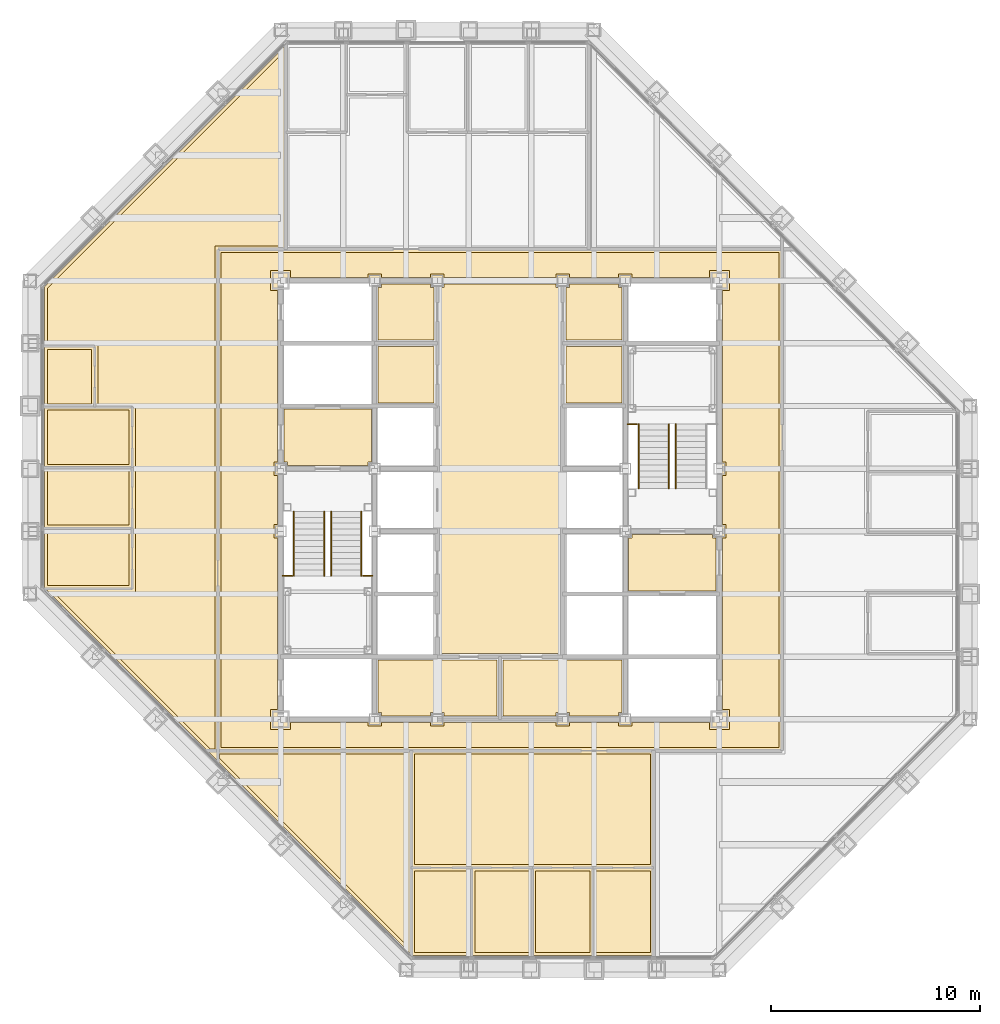
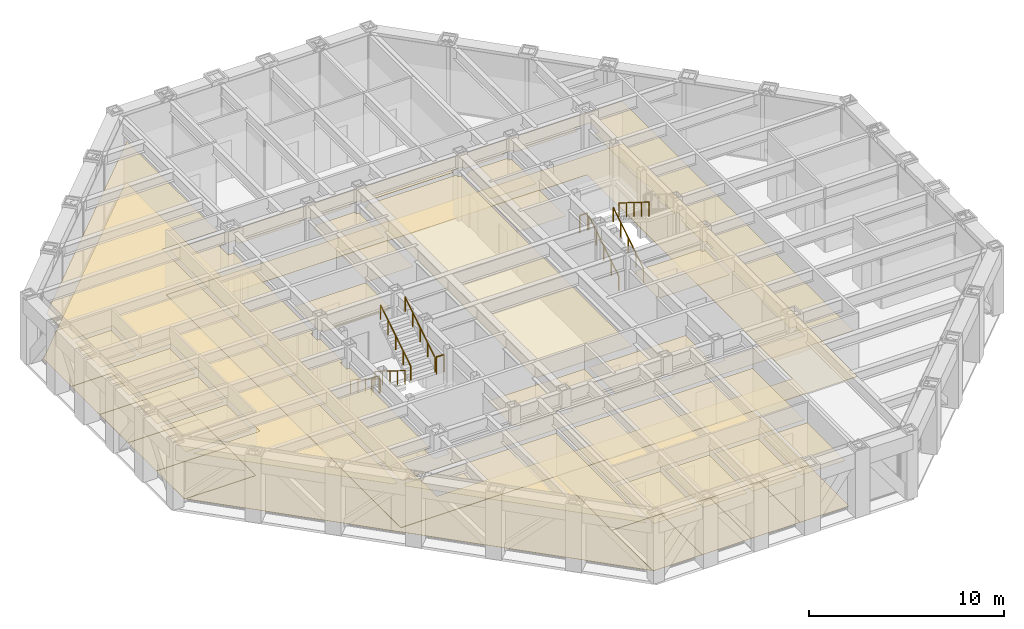
# One storey, part 15 of 16: 32 coverings, 10 railings.
"""IFC4 building model written with IfcOpenShell, lengths in metres."""

import ifcopenshell
import ifcopenshell.guid

model = None  # the IFC model being written
_history = None  # IfcOwnerHistory: only IFC2X3 demands one
_inside = {}  # id of a spatial element -> (the spatial element, [elements in it])
_under = {}  # id of a project, library or spatial element -> (it, [spatial elements below it])
_declared = {}  # id of a project -> (the project, [libraries it declares])
_typed = {}  # id of a type object -> (the type object, [elements of that type])
_made_of = {}  # id of a material, layer set ... -> (it, [elements and type objects made of it])


def new_model(schema):
    """Start an empty IFC model of exactly this schema.

    Asked for "IFC4X3", IfcOpenShell would pick the latest addendum, in which some entities
    have other attributes; the version numbers below select the first issue.
    IFC2X3 requires an IfcOwnerHistory on every rooted entity: one is made here for all.
    """
    global model, _history
    if schema == "IFC4X3":
        model = ifcopenshell.file(schema_version=(4, 3, 0, 0))
    else:
        model = ifcopenshell.file(schema=schema)
    _inside.clear()
    _under.clear()
    _declared.clear()
    _typed.clear()
    _made_of.clear()
    _history = None
    if model.schema == "IFC2X3":
        org = make("IfcOrganization", Name="unknown")
        user = make(
            "IfcPersonAndOrganization",
            ThePerson=make("IfcPerson", FamilyName="unknown"),
            TheOrganization=org,
        )
        app = make(
            "IfcApplication",
            ApplicationDeveloper=org,
            Version="unknown",
            ApplicationFullName="unknown",
            ApplicationIdentifier="unknown",
        )
        _history = make(
            "IfcOwnerHistory",
            OwningUser=user,
            OwningApplication=app,
            ChangeAction="ADDED",
            CreationDate=0,
        )
    return model


def make(cls, **values):
    """One entity of the class cls with the attributes given. An attribute that is None is left unset."""
    return model.create_entity(
        cls, **{name: value for name, value in values.items() if value is not None}
    )


def rooted(cls, **values):
    """An entity with a GlobalId (a new one), such as an element, a storey or a relation."""
    return make(cls, GlobalId=ifcopenshell.guid.new(), OwnerHistory=_history, **values)


def si_unit(unit_type, name, prefix=None):
    """IfcSIUnit, for example si_unit("LENGTHUNIT", "METRE", prefix="MILLI")."""
    return make("IfcSIUnit", UnitType=unit_type, Prefix=prefix, Name=name)


def assignment(units):
    """IfcUnitAssignment: the units of a project."""
    return None if units is None else make("IfcUnitAssignment", Units=units)


def point(xyz):
    """IfcCartesianPoint."""
    return None if xyz is None else make("IfcCartesianPoint", Coordinates=xyz)


def direction(xyz):
    """IfcDirection."""
    return None if xyz is None else make("IfcDirection", DirectionRatios=xyz)


def frame(location, z_axis=None, x_axis=None):
    """IfcAxis2Placement3D, a coordinate frame: its origin and axes. An axis left out is left unset."""
    return make(
        "IfcAxis2Placement3D",
        Location=point(location),
        Axis=direction(z_axis),
        RefDirection=direction(x_axis),
    )


def frame_2d(location, x_axis=None):
    """IfcAxis2Placement2D, a coordinate frame in the plane: its origin and x axis."""
    return make(
        "IfcAxis2Placement2D", Location=point(location), RefDirection=direction(x_axis)
    )


def origin():
    """The frame at (0, 0, 0) with its axes left unset."""
    return frame((0.0, 0.0, 0.0))


def origin_2d():
    """The frame at (0, 0) in the plane with its x axis left unset."""
    return frame_2d((0.0, 0.0))


def place(relative_to, where):
    """IfcLocalPlacement: puts the frame where relative to a parent placement (None: the world)."""
    return make(
        "IfcLocalPlacement", PlacementRelTo=relative_to, RelativePlacement=where
    )


def context(
    kind, dimensions, precision=None, world=None, true_north=None, identifier=None
):
    """IfcGeometricRepresentationContext, for example the 3D "Model" context."""
    return make(
        "IfcGeometricRepresentationContext",
        ContextIdentifier=identifier,
        ContextType=kind,
        CoordinateSpaceDimension=dimensions,
        Precision=precision,
        WorldCoordinateSystem=world,
        TrueNorth=true_north,
    )


def subcontext(parent, identifier, kind, view, scale=None):
    """IfcGeometricRepresentationSubContext, for example "Body" below "Model"."""
    return make(
        "IfcGeometricRepresentationSubContext",
        ContextIdentifier=identifier,
        ContextType=kind,
        ParentContext=parent,
        TargetScale=scale,
        TargetView=view,
    )


def project(units=None, contexts=None):
    """IfcProject with its units and contexts."""
    return rooted(
        "IfcProject",
        Name="project",
        RepresentationContexts=contexts,
        UnitsInContext=assignment(units),
    )


def spatial(cls, under=None, at=None, **own):
    """A site, building, storey or space (cls), placed at a placement, below another one or the project."""
    s = rooted(cls, ObjectPlacement=at, **own)
    if under is not None:
        _under.setdefault(under.id(), (under, []))[1].append(s)
    return s


def polyline(points):
    """IfcPolyline through the points."""
    return make("IfcPolyline", Points=[point(p) for p in points])


def profile(cls, at=None, kind="AREA", **sizes):
    """A parametric profile (cls). Its sizes go by their IFC names, for example OverallWidth=200.0."""
    return make(cls, ProfileType=kind, Position=at, **sizes)


def circle(**sizes):
    """IfcCircleProfileDef."""
    return profile("IfcCircleProfileDef", **sizes)


def outline(outer, holes=None, kind="AREA"):
    """IfcArbitraryClosedProfileDef: a profile drawn as a closed curve; with holes, ...WithVoids."""
    if holes is None:
        return make("IfcArbitraryClosedProfileDef", ProfileType=kind, OuterCurve=outer)
    return make(
        "IfcArbitraryProfileDefWithVoids",
        ProfileType=kind,
        OuterCurve=outer,
        InnerCurves=holes,
    )


def extrude(swept, where, along, depth):
    """IfcExtrudedAreaSolid: the profile swept, set in the frame where, extruded along a direction by depth."""
    return make(
        "IfcExtrudedAreaSolid",
        SweptArea=swept,
        Position=where,
        ExtrudedDirection=direction(along),
        Depth=depth,
    )


def shape(context_of_items, identifier, shape_type, items):
    """IfcShapeRepresentation: the items that make up one representation, for example the "Body"."""
    return make(
        "IfcShapeRepresentation",
        ContextOfItems=context_of_items,
        RepresentationIdentifier=identifier,
        RepresentationType=shape_type,
        Items=items,
    )


def material(Name=None, Category=None):
    """IfcMaterial."""
    return make("IfcMaterial", Name=Name, Category=Category)


def layer(
    of_material, thickness, ventilated=None, Name=None, Category=None, Priority=None
):
    """IfcMaterialLayer: one layer of a wall or slab, of a material (None: an air gap)."""
    return make(
        "IfcMaterialLayer",
        Material=of_material,
        LayerThickness=thickness,
        IsVentilated=ventilated,
        Name=Name,
        Category=Category,
        Priority=Priority,
    )


def layer_set(layers, Name=None):
    """IfcMaterialLayerSet."""
    return make("IfcMaterialLayerSet", MaterialLayers=layers, LayerSetName=Name)


def made_of(thing, what):
    """Note that an element or type object is made of a material, layer set ...; save() writes the relation."""
    if what is not None:
        _made_of.setdefault(what.id(), (what, []))[1].append(thing)
    return thing


def type_object(cls, material=None, **own):
    """A type object (cls), such as IfcWallType, which elements share."""
    return made_of(rooted(cls, **own), material)


def element(
    cls,
    number,
    at=None,
    inside=None,
    cuts=None,
    type_object=None,
    material=None,
    context=None,
    identifier="Body",
    shape_type=None,
    held_by="IfcProductDefinitionShape",
    body=None,
    shapes=None,
    **own,
):
    """One element of the class cls, such as IfcWall. Its Tag is "e" and its number.

    at: its placement. inside: the storey or other place that contains it. cuts: it is an
    opening in that element (IfcRelVoidsElement). A single representation is given by context,
    identifier, shape_type and body (its items); several are given by shapes. held_by: the class
    of the entity that holds the representations. save() writes the other relations.
    """
    e = rooted(cls, Tag="e%d" % number, ObjectPlacement=at, **own)
    if body is not None:
        shapes = [shape(context, identifier, shape_type, body)]
    if shapes is not None:
        e.Representation = make(held_by, Representations=shapes)
    if inside is not None:
        _inside.setdefault(inside.id(), (inside, []))[1].append(e)
    if cuts is not None:
        rooted(
            "IfcRelVoidsElement", RelatingBuildingElement=cuts, RelatedOpeningElement=e
        )
    if type_object is not None:
        _typed.setdefault(type_object.id(), (type_object, []))[1].append(e)
    return made_of(e, material)


def aggregate(whole, parts):
    """IfcRelAggregates: a whole, such as a stair, and the parts it consists of."""
    return rooted("IfcRelAggregates", RelatingObject=whole, RelatedObjects=parts)


def save(model, path):
    """Write the relations noted so far, then the file.

    IfcRelAggregates (storeys below a building ...), IfcRelContainedInSpatialStructure (elements
    in a storey), IfcRelDefinesByType, IfcRelAssociatesMaterial and IfcRelDeclares: one each for
    every whole, place, type object, material and project.
    """
    for whole, parts in _under.values():
        aggregate(whole, parts)
    for where, things in _inside.values():
        rooted(
            "IfcRelContainedInSpatialStructure",
            RelatedElements=things,
            RelatingStructure=where,
        )
    for kind, things in _typed.values():
        rooted("IfcRelDefinesByType", RelatedObjects=things, RelatingType=kind)
    for what, things in _made_of.values():
        rooted("IfcRelAssociatesMaterial", RelatedObjects=things, RelatingMaterial=what)
    for by, libraries in _declared.values():
        rooted("IfcRelDeclares", RelatingContext=by, RelatedDefinitions=libraries)
    model.write(path)


model = new_model("IFC4")

# Units and contexts
model_context = context("Model", 3, precision=1e-05, world=origin(), true_north=direction((0.0, 1.0)))
body_context = subcontext(model_context, "Body", "Model", "MODEL_VIEW")
ifc_project = project(units=[si_unit("LENGTHUNIT", "METRE"), si_unit("AREAUNIT", "SQUARE_METRE"), si_unit("VOLUMEUNIT", "CUBIC_METRE"), si_unit("PLANEANGLEUNIT", "RADIAN"), si_unit("MASSUNIT", "GRAM", prefix="KILO")], contexts=[model_context])

# Site, building, storey
site_placement = place(None, origin())
site = spatial("IfcSite", under=ifc_project, at=site_placement, CompositionType="ELEMENT")
building_placement = place(site_placement, origin())
building = spatial("IfcBuilding", under=site, at=building_placement, Name="Chuquiago Exchange Tower", CompositionType="ELEMENT")
storey_placement = place(building_placement, frame((0.0, 0.0, 243.300048828125)))
storey = spatial("IfcBuildingStorey", under=building, at=storey_placement, Name="L54", CompositionType="ELEMENT", Elevation=243.300048828125)

# Coverings
ifc_material_1 = material(Name="Mineral fibre tile, 600 x 600, on pale metal grid", Category="mineral fibre")
ifc_layer_1 = layer(ifc_material_1, 0.02001953125)
ifc_layer_set_1 = layer_set([ifc_layer_1], Name="CL1 suspended tile ceiling 20")
covering_type_1 = type_object("IfcCoveringType", Name="CL1 suspended tile ceiling 20", PredefinedType="CEILING", material=ifc_layer_set_1)
covering_1_placement = place(storey_placement, frame((0.0, 0.0, 2.800048828125)))
element("IfcCovering", 1, at=covering_1_placement, inside=storey, type_object=covering_type_1, Name="Ceiling Reception", PredefinedType="CEILING", context=body_context, shape_type="SweptSolid", body=[
    extrude(outline(polyline([(18.3984375, 4.75), (20.9990234375, 4.75), (20.9990234375, 0.85009765625), (18.3984375, 0.85009765625), (18.3984375, 4.75)])), origin(), (0.0, 0.0, 1.0), 0.02001953125),
])
covering_2_placement = place(storey_placement, frame((0.0, 0.0, 2.800048828125)))
element("IfcCovering", 2, at=covering_2_placement, inside=storey, type_object=covering_type_1, Name="Ceiling Office", PredefinedType="CEILING", context=body_context, shape_type="SweptSolid", body=[
    extrude(outline(polyline([(21.299072265625, 4.75), (23.899658203125, 4.75), (23.899658203125, 0.85009765625), (21.299072265625, 0.85009765625), (21.299072265625, 4.75)])), origin(), (0.0, 0.0, 1.0), 0.02001953125),
])
covering_3_placement = place(storey_placement, frame((0.0, 0.0, 2.800048828125)))
element("IfcCovering", 3, at=covering_3_placement, inside=storey, type_object=covering_type_1, Name="Ceiling Office", PredefinedType="CEILING", context=body_context, shape_type="SweptSolid", body=[
    extrude(outline(polyline([(24.19970703125, 4.75), (26.80029296875, 4.75), (26.80029296875, 0.85009765625), (24.19970703125, 0.85009765625), (24.19970703125, 4.75)])), origin(), (0.0, 0.0, 1.0), 0.02001953125),
])
covering_4_placement = place(storey_placement, frame((0.0, 0.0, 2.800048828125)))
element("IfcCovering", 4, at=covering_4_placement, inside=storey, type_object=covering_type_1, Name="Ceiling Office", PredefinedType="CEILING", context=body_context, shape_type="SweptSolid", body=[
    extrude(outline(polyline([(27.100341796875, 4.75), (29.700927734375, 4.75), (29.700927734375, 0.85009765625), (27.100341796875, 0.85009765625), (27.100341796875, 4.75)])), origin(), (0.0, 0.0, 1.0), 0.02001953125),
])
covering_5_placement = place(storey_placement, frame((0.0, 0.0, 2.800048828125)))
element("IfcCovering", 5, at=covering_5_placement, inside=storey, type_object=covering_type_1, Name="Ceiling Office", PredefinedType="CEILING", context=body_context, shape_type="SweptSolid", body=[
    extrude(outline(polyline([(0.85009765625, 20.9990234375), (4.75, 20.9990234375), (4.75, 18.3984375), (0.85009765625, 18.3984375), (0.85009765625, 20.9990234375)])), origin(), (0.0, 0.0, 1.0), 0.02001953125),
])
covering_6_placement = place(storey_placement, frame((0.0, 0.0, 2.800048828125)))
element("IfcCovering", 6, at=covering_6_placement, inside=storey, type_object=covering_type_1, Name="Ceiling Office", PredefinedType="CEILING", context=body_context, shape_type="SweptSolid", body=[
    extrude(outline(polyline([(4.75, 23.899658203125), (4.75, 21.299072265625), (0.85009765625, 21.299072265625), (0.85009765625, 23.899658203125), (4.75, 23.899658203125)])), origin(), (0.0, 0.0, 1.0), 0.02001953125),
])
covering_7_placement = place(storey_placement, frame((0.0, 0.0, 2.800048828125)))
element("IfcCovering", 7, at=covering_7_placement, inside=storey, type_object=covering_type_1, Name="Ceiling Reception", PredefinedType="CEILING", context=body_context, shape_type="SweptSolid", body=[
    extrude(outline(polyline([(4.75, 26.80029296875), (4.75, 24.19970703125), (0.85009765625, 24.19970703125), (0.85009765625, 26.80029296875), (4.75, 26.80029296875)])), origin(), (0.0, 0.0, 1.0), 0.02001953125),
])
covering_8_placement = place(storey_placement, frame((0.0, 0.0, 2.800048828125)))
element("IfcCovering", 8, at=covering_8_placement, inside=storey, type_object=covering_type_1, Name="Ceiling Focus room", PredefinedType="CEILING", context=body_context, shape_type="SweptSolid", body=[
    extrude(outline(polyline([(2.949951171875, 29.700927734375), (2.949951171875, 27.100341796875), (0.85009765625, 27.100341796875), (0.85009765625, 29.700927734375), (2.949951171875, 29.700927734375)])), origin(), (0.0, 0.0, 1.0), 0.02001953125),
])
covering_9_placement = place(storey_placement, frame((0.0, 0.0, 2.800048828125)))
element("IfcCovering", 9, at=covering_9_placement, inside=storey, type_object=covering_type_1, Name="Ceiling Open office south suite", PredefinedType="CEILING", context=body_context, shape_type="SweptSolid", body=[
    extrude(outline(polyline([(18.39892578125, 5.050048828125), (18.39892578125, 10.349609375), (29.700439453125, 10.349609375), (29.700439453125, 5.050048828125), (18.39892578125, 5.050048828125)])), origin(), (0.0, 0.0, 1.0), 0.02001953125),
])
covering_10_placement = place(storey_placement, frame((0.0, 0.0, 2.800048828125)))
element("IfcCovering", 10, at=covering_10_placement, inside=storey, type_object=covering_type_1, Name="Ceiling Open office west suite", PredefinedType="CEILING", context=body_context, shape_type="SweptSolid", body=[
    extrude(outline(polyline([(5.050048828125, 18.098388671875), (5.050048828125, 27.100341796875), (3.25, 27.100341796875), (3.25, 30.0009765625), (0.85009765625, 30.0009765625), (0.85009765625, 32.64794921875), (12.097900390625, 43.89599609375), (12.097900390625, 34.650390625), (8.849609375, 34.64990234375), (8.849609375, 10.5849609375), (8.616943359375, 10.5849609375), (1.103515625, 18.098388671875), (5.050048828125, 18.098388671875)])), origin(), (0.0, 0.0, 1.0), 0.02001953125),
])
covering_11_placement = place(storey_placement, frame((0.0, 0.0, 2.800048828125)))
element("IfcCovering", 11, at=covering_11_placement, inside=storey, type_object=covering_type_1, Name="Ceiling Open office west suite", PredefinedType="CEILING", context=body_context, shape_type="SweptSolid", body=[
    extrude(outline(polyline([(18.097900390625, 10.349609375), (18.097900390625, 1.10400390625), (9.0849609375, 10.116943359375), (9.0849609375, 10.35009765625), (18.097900390625, 10.349609375)])), origin(), (0.0, 0.0, 1.0), 0.02001953125),
])
covering_12_placement = place(storey_placement, frame((0.0, 0.0, 2.800048828125)))
element("IfcCovering", 12, at=covering_12_placement, inside=storey, type_object=covering_type_1, Name="Ceiling Tenant corridor", PredefinedType="CEILING", context=body_context, shape_type="SweptSolid", body=[
    extrude(outline(polyline([(9.14990234375, 34.35009765625), (35.85009765625, 34.35009765625), (35.85009765625, 10.64990234375), (9.14990234375, 10.64990234375), (9.14990234375, 34.35009765625)]), holes=[polyline([(11.85009765625, 24.324951171875), (11.675048828125, 24.324951171875), (11.675048828125, 23.675048828125), (11.85009765625, 23.675048828125), (11.85009765625, 21.324951171875), (11.675048828125, 21.324951171875), (11.675048828125, 20.675048828125), (11.85009765625, 20.675048828125), (11.85009765625, 12.47509765625), (11.52490234375, 12.47509765625), (11.52490234375, 11.52490234375), (12.47509765625, 11.52490234375), (12.47509765625, 11.85009765625), (16.175048828125, 11.85009765625), (16.175048828125, 11.675048828125), (16.824951171875, 11.675048828125), (16.824951171875, 11.85009765625), (19.175048828125, 11.85009765625), (19.175048828125, 11.675048828125), (19.824951171875, 11.675048828125), (19.824951171875, 11.85009765625), (25.175048828125, 11.85009765625), (25.175048828125, 11.675048828125), (25.824951171875, 11.675048828125), (25.824951171875, 11.85009765625), (28.175048828125, 11.85009765625), (28.175048828125, 11.675048828125), (28.824951171875, 11.675048828125), (28.824951171875, 11.85009765625), (32.52490234375, 11.85009765625), (32.52490234375, 11.52490234375), (33.47509765625, 11.52490234375), (33.47509765625, 12.47509765625), (33.14990234375, 12.47509765625), (33.14990234375, 20.675048828125), (33.324951171875, 20.675048828125), (33.324951171875, 21.324951171875), (33.14990234375, 21.324951171875), (33.14990234375, 23.675048828125), (33.324951171875, 23.675048828125), (33.324951171875, 24.324951171875), (33.14990234375, 24.324951171875), (33.14990234375, 32.52490234375), (33.47509765625, 32.52490234375), (33.47509765625, 33.47509765625), (32.52490234375, 33.47509765625), (32.52490234375, 33.14990234375), (28.824951171875, 33.14990234375), (28.824951171875, 33.324951171875), (28.175048828125, 33.324951171875), (28.175048828125, 33.14990234375), (25.824951171875, 33.14990234375), (25.824951171875, 33.324951171875), (25.175048828125, 33.324951171875), (25.175048828125, 33.14990234375), (19.824951171875, 33.14990234375), (19.824951171875, 33.324951171875), (19.175048828125, 33.324951171875), (19.175048828125, 33.14990234375), (16.824951171875, 33.14990234375), (16.824951171875, 33.324951171875), (16.175048828125, 33.324951171875), (16.175048828125, 33.14990234375), (12.47509765625, 33.14990234375), (12.47509765625, 33.47509765625), (11.52490234375, 33.47509765625), (11.52490234375, 32.52490234375), (11.85009765625, 32.52490234375), (11.85009765625, 24.324951171875)])]), origin(), (0.0, 0.0, 1.0), 0.02001953125),
])
covering_13_placement = place(storey_placement, frame((0.0, 0.0, 2.800048828125)))
element("IfcCovering", 13, at=covering_13_placement, inside=storey, type_object=covering_type_1, Name="Ceiling Baby change room", PredefinedType="CEILING", context=body_context, shape_type="SweptSolid", body=[
    extrude(outline(polyline([(25.64990234375, 30.14990234375), (25.64990234375, 32.675048828125), (25.824951171875, 32.675048828125), (25.824951171875, 32.85009765625), (28.175048828125, 32.85009765625), (28.175048828125, 32.675048828125), (28.35009765625, 32.675048828125), (28.35009765625, 30.14990234375), (25.64990234375, 30.14990234375)])), origin(), (0.0, 0.0, 1.0), 0.02001953125),
])
ifc_material_2 = material(Name="Moisture resistant plasterboard on metal frame", Category="gypsum")
ifc_layer_2 = layer(ifc_material_2, 0.014892578125)
ifc_layer_set_2 = layer_set([ifc_layer_2], Name="CL2 moisture resistant ceiling 15")
covering_type_2 = type_object("IfcCoveringType", Name="CL2 moisture resistant ceiling 15", PredefinedType="CEILING", material=ifc_layer_set_2)
covering_14_placement = place(storey_placement, frame((0.0, 0.0, 2.599853515625)))
element("IfcCovering", 14, at=covering_14_placement, inside=storey, type_object=covering_type_2, Name="Ceiling Male WC", PredefinedType="CEILING", context=body_context, shape_type="SweptSolid", body=[
    extrude(outline(polyline([(16.64990234375, 27.14990234375), (16.64990234375, 29.85009765625), (19.35009765625, 29.85009765625), (19.35009765625, 27.14990234375), (16.64990234375, 27.14990234375)])), origin(), (0.0, 0.0, 1.0), 0.01513671875),
])
covering_15_placement = place(storey_placement, frame((0.0, 0.0, 2.599853515625)))
element("IfcCovering", 15, at=covering_15_placement, inside=storey, type_object=covering_type_2, Name="Ceiling Staff shower room", PredefinedType="CEILING", context=body_context, shape_type="SweptSolid", body=[
    extrude(outline(polyline([(16.64990234375, 30.14990234375), (16.64990234375, 32.675048828125), (16.824951171875, 32.675048828125), (16.824951171875, 32.85009765625), (19.175048828125, 32.85009765625), (19.175048828125, 32.675048828125), (19.35009765625, 32.675048828125), (19.35009765625, 30.14990234375), (16.64990234375, 30.14990234375)])), origin(), (0.0, 0.0, 1.0), 0.01513671875),
])
covering_16_placement = place(storey_placement, frame((0.0, 0.0, 2.599853515625)))
element("IfcCovering", 16, at=covering_16_placement, inside=storey, type_object=covering_type_2, Name="Ceiling Female WC", PredefinedType="CEILING", context=body_context, shape_type="SweptSolid", body=[
    extrude(outline(polyline([(25.64990234375, 27.14990234375), (25.64990234375, 29.85009765625), (28.35009765625, 29.85009765625), (28.35009765625, 27.14990234375), (25.64990234375, 27.14990234375)])), origin(), (0.0, 0.0, 1.0), 0.01513671875),
])
covering_17_placement = place(storey_placement, frame((0.0, 0.0, 2.599853515625)))
element("IfcCovering", 17, at=covering_17_placement, inside=storey, type_object=covering_type_2, Name="Ceiling Accessible WC", PredefinedType="CEILING", context=body_context, shape_type="SweptSolid", body=[
    extrude(outline(polyline([(25.824951171875, 12.14990234375), (25.824951171875, 12.324951171875), (25.175048828125, 12.324951171875), (25.175048828125, 12.14990234375), (22.64990234375, 12.14990234375), (22.64990234375, 14.85009765625), (28.35009765625, 14.85009765625), (28.35009765625, 12.324951171875), (28.175048828125, 12.324951171875), (28.175048828125, 12.14990234375), (25.824951171875, 12.14990234375)])), origin(), (0.0, 0.0, 1.0), 0.01513671875),
])
covering_18_placement = place(storey_placement, frame((0.0, 0.0, 2.599853515625)))
element("IfcCovering", 18, at=covering_18_placement, inside=storey, type_object=covering_type_2, Name="Ceiling Cleaner", PredefinedType="CEILING", context=body_context, shape_type="SweptSolid", body=[
    extrude(outline(polyline([(19.824951171875, 12.14990234375), (19.824951171875, 12.324951171875), (19.175048828125, 12.324951171875), (19.175048828125, 12.14990234375), (16.824951171875, 12.14990234375), (16.824951171875, 12.324951171875), (16.64990234375, 12.324951171875), (16.64990234375, 14.85009765625), (22.35009765625, 14.85009765625), (22.35009765625, 12.14990234375), (19.824951171875, 12.14990234375)])), origin(), (0.0, 0.0, 1.0), 0.01513671875),
])
ifc_material_3 = material(Name="Pale metal plank ceiling, perforated", Category="aluminium")
ifc_layer_3 = layer(ifc_material_3, 0.030029296875)
ifc_layer_set_3 = layer_set([ifc_layer_3], Name="CL3 metal plank ceiling 30")
covering_type_3 = type_object("IfcCoveringType", Name="CL3 metal plank ceiling 30", PredefinedType="CEILING", material=ifc_layer_set_3)
covering_19_placement = place(storey_placement, frame((0.0, 0.0, 2.800048828125)))
element("IfcCovering", 19, at=covering_19_placement, inside=storey, type_object=covering_type_3, Name="Ceiling Lift lobby", PredefinedType="CEILING", context=body_context, shape_type="SweptSolid", body=[
    extrude(outline(polyline([(19.64990234375, 15.14990234375), (19.64990234375, 32.675048828125), (19.824951171875, 32.675048828125), (19.824951171875, 32.85009765625), (25.175048828125, 32.85009765625), (25.175048828125, 32.675048828125), (25.35009765625, 32.675048828125), (25.35009765625, 15.14990234375), (19.64990234375, 15.14990234375)])), origin(), (0.0, 0.0, 1.0), 0.02978515625),
])
covering_20_placement = place(storey_placement, frame((0.0, 0.0, 2.800048828125)))
element("IfcCovering", 20, at=covering_20_placement, inside=storey, type_object=covering_type_3, Name="Ceiling Firefighting lobby", PredefinedType="CEILING", context=body_context, shape_type="SweptSolid", body=[
    extrude(outline(polyline([(12.324951171875, 24.14990234375), (12.324951171875, 24.324951171875), (12.14990234375, 24.324951171875), (12.14990234375, 26.85009765625), (16.35009765625, 26.85009765625), (16.35009765625, 24.324951171875), (16.175048828125, 24.324951171875), (16.175048828125, 24.14990234375), (12.324951171875, 24.14990234375)])), origin(), (0.0, 0.0, 1.0), 0.02978515625),
])
covering_21_placement = place(storey_placement, frame((0.0, 0.0, 2.800048828125)))
element("IfcCovering", 21, at=covering_21_placement, inside=storey, type_object=covering_type_3, Name="Ceiling Firefighting lobby", PredefinedType="CEILING", context=body_context, shape_type="SweptSolid", body=[
    extrude(outline(polyline([(28.64990234375, 18.14990234375), (28.64990234375, 20.675048828125), (28.824951171875, 20.675048828125), (28.824951171875, 20.85009765625), (32.675048828125, 20.85009765625), (32.675048828125, 20.675048828125), (32.85009765625, 20.675048828125), (32.85009765625, 18.14990234375), (28.64990234375, 18.14990234375)])), origin(), (0.0, 0.0, 1.0), 0.02978515625),
])
ifc_material_4 = material(Name="Carpet tile, 500 x 500, on the floor slab", Category="textile")
ifc_layer_4 = layer(ifc_material_4, 0.010009765625)
ifc_layer_set_4 = layer_set([ifc_layer_4], Name="FL1 carpet tile 10")
covering_type_4 = type_object("IfcCoveringType", Name="FL1 carpet tile 10", PredefinedType="FLOORING", material=ifc_layer_set_4)
covering_22_placement = place(storey_placement, origin())
element("IfcCovering", 22, at=covering_22_placement, inside=storey, type_object=covering_type_4, Name="Floor finish Office", PredefinedType="FLOORING", context=body_context, shape_type="SweptSolid", body=[
    extrude(outline(polyline([(21.149169921875, 0.699951171875), (21.149169921875, 4.89990234375), (24.0498046875, 4.89990234375), (24.0498046875, 0.699951171875), (21.149169921875, 0.699951171875)])), origin(), (0.0, 0.0, 1.0), 0.010009765625),
])
covering_23_placement = place(storey_placement, origin())
element("IfcCovering", 23, at=covering_23_placement, inside=storey, type_object=covering_type_4, Name="Floor finish Office", PredefinedType="FLOORING", context=body_context, shape_type="SweptSolid", body=[
    extrude(outline(polyline([(24.0498046875, 0.699951171875), (24.0498046875, 4.89990234375), (26.9501953125, 4.89990234375), (26.9501953125, 0.699951171875), (24.0498046875, 0.699951171875)])), origin(), (0.0, 0.0, 1.0), 0.010009765625),
])
covering_24_placement = place(storey_placement, origin())
element("IfcCovering", 24, at=covering_24_placement, inside=storey, type_object=covering_type_4, Name="Floor finish Office", PredefinedType="FLOORING", context=body_context, shape_type="SweptSolid", body=[
    extrude(outline(polyline([(26.9501953125, 0.699951171875), (26.9501953125, 4.89990234375), (29.850830078125, 4.89990234375), (29.850830078125, 0.699951171875), (26.9501953125, 0.699951171875)])), origin(), (0.0, 0.0, 1.0), 0.010009765625),
])
covering_25_placement = place(storey_placement, origin())
element("IfcCovering", 25, at=covering_25_placement, inside=storey, type_object=covering_type_4, Name="Floor finish Office", PredefinedType="FLOORING", context=body_context, shape_type="SweptSolid", body=[
    extrude(outline(polyline([(0.699951171875, 21.149169921875), (4.89990234375, 21.149169921875), (4.89990234375, 18.24853515625), (0.741455078125, 18.24853515625), (0.699951171875, 18.289794921875), (0.699951171875, 21.149169921875)])), origin(), (0.0, 0.0, 1.0), 0.010009765625),
])
covering_26_placement = place(storey_placement, origin())
element("IfcCovering", 26, at=covering_26_placement, inside=storey, type_object=covering_type_4, Name="Floor finish Office", PredefinedType="FLOORING", context=body_context, shape_type="SweptSolid", body=[
    extrude(outline(polyline([(0.699951171875, 24.0498046875), (4.89990234375, 24.0498046875), (4.89990234375, 21.149169921875), (0.699951171875, 21.149169921875), (0.699951171875, 24.0498046875)])), origin(), (0.0, 0.0, 1.0), 0.010009765625),
])
covering_27_placement = place(storey_placement, origin())
element("IfcCovering", 27, at=covering_27_placement, inside=storey, type_object=covering_type_4, Name="Floor finish Focus room", PredefinedType="FLOORING", context=body_context, shape_type="SweptSolid", body=[
    extrude(outline(polyline([(0.699951171875, 29.850830078125), (3.10009765625, 29.850830078125), (3.10009765625, 26.9501953125), (0.699951171875, 26.9501953125), (0.699951171875, 29.850830078125)])), origin(), (0.0, 0.0, 1.0), 0.010009765625),
])
covering_28_placement = place(storey_placement, origin())
element("IfcCovering", 28, at=covering_28_placement, inside=storey, type_object=covering_type_4, Name="Floor finish Open office south suite", PredefinedType="FLOORING", context=body_context, shape_type="SweptSolid", body=[
    extrude(outline(polyline([(29.850341796875, 4.89990234375), (18.2490234375, 4.89990234375), (18.2490234375, 10.49951171875), (29.850341796875, 10.49951171875), (29.850341796875, 4.89990234375)])), origin(), (0.0, 0.0, 1.0), 0.010009765625),
])
covering_29_placement = place(storey_placement, origin())
element("IfcCovering", 29, at=covering_29_placement, inside=storey, type_object=covering_type_4, Name="Floor finish Open office west suite", PredefinedType="FLOORING", context=body_context, shape_type="SweptSolid", body=[
    extrude(outline(polyline([(0.741455078125, 18.24853515625), (4.89990234375, 18.24853515625), (4.89990234375, 26.9501953125), (3.10009765625, 26.9501953125), (3.10009765625, 29.850830078125), (0.699951171875, 29.850830078125), (0.699951171875, 32.710205078125), (12.248046875, 44.258056640625), (12.248046875, 34.50048828125), (8.99951171875, 34.5), (8.99951171875, 10.5), (18.248046875, 10.49951171875), (18.248046875, 0.741943359375), (0.741455078125, 18.24853515625)])), origin(), (0.0, 0.0, 1.0), 0.010009765625),
])
ifc_material_5 = material(Name="Porcelain floor tile, 600 x 600, on adhesive bed", Category="ceramic")
ifc_layer_5 = layer(ifc_material_5, 0.014892578125)
ifc_layer_set_5 = layer_set([ifc_layer_5], Name="FL2 porcelain tile 15")
covering_type_5 = type_object("IfcCoveringType", Name="FL2 porcelain tile 15", PredefinedType="FLOORING", material=ifc_layer_set_5)
covering_30_placement = place(storey_placement, origin())
element("IfcCovering", 30, at=covering_30_placement, inside=storey, type_object=covering_type_5, Name="Floor finish Reception", PredefinedType="FLOORING", context=body_context, shape_type="SweptSolid", body=[
    extrude(outline(polyline([(18.289794921875, 0.699951171875), (18.24853515625, 0.741455078125), (18.24853515625, 4.89990234375), (21.149169921875, 4.89990234375), (21.149169921875, 0.699951171875), (18.289794921875, 0.699951171875)])), origin(), (0.0, 0.0, 1.0), 0.014892578125),
])
covering_31_placement = place(storey_placement, origin())
element("IfcCovering", 31, at=covering_31_placement, inside=storey, type_object=covering_type_5, Name="Floor finish Reception", PredefinedType="FLOORING", context=body_context, shape_type="SweptSolid", body=[
    extrude(outline(polyline([(0.699951171875, 26.9501953125), (4.89990234375, 26.9501953125), (4.89990234375, 24.0498046875), (0.699951171875, 24.0498046875), (0.699951171875, 26.9501953125)])), origin(), (0.0, 0.0, 1.0), 0.014892578125),
])
covering_32_placement = place(storey_placement, origin())
element("IfcCovering", 32, at=covering_32_placement, inside=storey, type_object=covering_type_5, Name="Floor finish Tenant corridor", PredefinedType="FLOORING", context=body_context, shape_type="SweptSolid", body=[
    extrude(outline(polyline([(9.0, 10.5), (9.0, 34.5), (36.0, 34.5), (36.0, 10.5), (9.0, 10.5)]), holes=[polyline([(12.0, 33.0), (12.0, 12.0), (33.0, 12.0), (33.0, 33.0), (12.0, 33.0)])]), origin(), (0.0, 0.0, 1.0), 0.014892578125),
])

# Railings
ifc_material_6 = material(Name="Pale metal guard with safety glass infill", Category="glass")
railing_type_1 = type_object("IfcRailingType", Name="GR1 guard 1100", PredefinedType="GUARDRAIL", material=ifc_material_6)
for number, where, name in (
    (33, (12.10009765625, 18.8701171875, 2.099853515625), "Guard ST1 L54 landing 2"),
    (34, (15.945068359375, 18.8701171875, 2.099853515625), "Guard ST1 L54 landing 2"),
    (35, (28.60009765625, 26.1298828125, 2.099853515625), "Guard ST2 L54 landing 2"),
):
    element("IfcRailing", number, at=place(storey_placement, frame(where)), inside=storey, type_object=railing_type_1, Name=name, PredefinedType="GUARDRAIL", context=body_context, shape_type="SweptSolid", body=[
        extrude(circle(Radius=0.02392578125, at=origin_2d()), frame((0.0, 0.0, 1.076171875), z_axis=(1.0, 0.0, 0.0), x_axis=(0.0, 1.0, 0.0)), (0.0, 0.0, 1.0), 0.454833984375),
        extrude(circle(Radius=0.02099609375, at=origin_2d()), origin(), (0.0, 0.0, 1.0), 1.052001953125),
        extrude(circle(Radius=0.02099609375, at=origin_2d()), frame((0.454833984375, 0.0, 0.0)), (0.0, 0.0, 1.0), 1.052001953125),
    ])
ifc_material_7 = material(Name="Pale metal handrail", Category="steel")
railing_type_2 = type_object("IfcRailingType", Name="HR1 handrail 900", PredefinedType="HANDRAIL", material=ifc_material_7)
for number, where, name in (
    (36, (12.635009765625, 21.949951171875, 0.175048828125), "Handrail ST1 L54 flight 1"),
    (37, (14.0849609375, 21.949951171875, 0.175048828125), "Handrail ST1 L54 flight 1"),
):
    element("IfcRailing", number, at=place(storey_placement, frame(where)), inside=storey, type_object=railing_type_2, Name=name, PredefinedType="HANDRAIL", context=body_context, shape_type="SweptSolid", body=[
        extrude(circle(Radius=0.02392578125, at=origin_2d()), frame((0.0, 0.0, 0.8759765625), z_axis=(0.0, -0.848009633417, 0.529980812513), x_axis=(1.0, 0.0, 0.0)), (0.0, 0.0, 1.0), 3.6318359375),
        extrude(circle(Radius=0.02099609375, at=origin_2d()), origin(), (0.0, 0.0, 1.0), 0.851806640625),
        extrude(circle(Radius=0.02099609375, at=origin_2d()), frame((0.0, -0.77001953125, 0.481201171875)), (0.0, 0.0, 1.0), 0.851806640625),
        extrude(circle(Radius=0.02099609375, at=origin_2d()), frame((0.0, -1.5400390625, 0.96240234375)), (0.0, 0.0, 1.0), 0.851806640625),
        extrude(circle(Radius=0.02099609375, at=origin_2d()), frame((0.0, -2.309814453125, 1.443603515625)), (0.0, 0.0, 1.0), 0.851806640625),
        extrude(circle(Radius=0.02099609375, at=origin_2d()), frame((0.0, -3.079833984375, 1.9248046875)), (0.0, 0.0, 1.0), 0.851806640625),
    ])
for number, where, name in (
    (38, (15.864990234375, 18.8701171875, 2.27490234375), "Handrail ST1 L54 flight 2"),
    (39, (14.4150390625, 18.8701171875, 2.27490234375), "Handrail ST1 L54 flight 2"),
):
    element("IfcRailing", number, at=place(storey_placement, frame(where)), inside=storey, type_object=railing_type_2, Name=name, PredefinedType="HANDRAIL", context=body_context, shape_type="SweptSolid", body=[
        extrude(circle(Radius=0.02392578125, at=origin_2d()), frame((0.0, 0.0, 0.8759765625), z_axis=(0.0, 0.847979421464, 0.530029150871), x_axis=(-1.0, 0.0, 0.0)), (0.0, 0.0, 1.0), 3.632080078125),
        extrude(circle(Radius=0.02099609375, at=origin_2d()), origin(), (0.0, 0.0, 1.0), 0.851806640625),
        extrude(circle(Radius=0.02099609375, at=origin_2d()), frame((0.0, 0.77001953125, 0.481201171875)), (0.0, 0.0, 1.0), 0.851806640625),
        extrude(circle(Radius=0.02099609375, at=origin_2d()), frame((0.0, 1.5400390625, 0.96240234375)), (0.0, 0.0, 1.0), 0.851806640625),
        extrude(circle(Radius=0.02099609375, at=origin_2d()), frame((0.0, 2.309814453125, 1.44384765625)), (0.0, 0.0, 1.0), 0.851806640625),
        extrude(circle(Radius=0.02099609375, at=origin_2d()), frame((0.0, 3.079833984375, 1.925048828125)), (0.0, 0.0, 1.0), 0.851806640625),
    ])
for number, where, name in (
    (40, (30.5849609375, 23.050048828125, 0.175048828125), "Handrail ST2 L54 flight 1"),
    (41, (29.135009765625, 23.050048828125, 0.175048828125), "Handrail ST2 L54 flight 1"),
):
    element("IfcRailing", number, at=place(storey_placement, frame(where)), inside=storey, type_object=railing_type_2, Name=name, PredefinedType="HANDRAIL", context=body_context, shape_type="SweptSolid", body=[
        extrude(circle(Radius=0.02392578125, at=origin_2d()), frame((0.0, 0.0, 0.8759765625), z_axis=(0.0, 0.848009633417, 0.529980812513), x_axis=(-1.0, 0.0, 0.0)), (0.0, 0.0, 1.0), 3.6318359375),
        extrude(circle(Radius=0.02099609375, at=origin_2d()), origin(), (0.0, 0.0, 1.0), 0.851806640625),
        extrude(circle(Radius=0.02099609375, at=origin_2d()), frame((0.0, 0.77001953125, 0.481201171875)), (0.0, 0.0, 1.0), 0.851806640625),
        extrude(circle(Radius=0.02099609375, at=origin_2d()), frame((0.0, 1.5400390625, 0.96240234375)), (0.0, 0.0, 1.0), 0.851806640625),
        extrude(circle(Radius=0.02099609375, at=origin_2d()), frame((0.0, 2.309814453125, 1.443603515625)), (0.0, 0.0, 1.0), 0.851806640625),
        extrude(circle(Radius=0.02099609375, at=origin_2d()), frame((0.0, 3.079833984375, 1.9248046875)), (0.0, 0.0, 1.0), 0.851806640625),
    ])
railing_placement = place(storey_placement, frame((30.9150390625, 26.1298828125, 2.27490234375)))
element("IfcRailing", 42, at=railing_placement, inside=storey, type_object=railing_type_2, Name="Handrail ST2 L54 flight 2", PredefinedType="HANDRAIL", context=body_context, shape_type="SweptSolid", body=[
    extrude(circle(Radius=0.02392578125, at=origin_2d()), frame((0.0, 0.0, 0.8759765625), z_axis=(0.0, -0.847979421464, 0.530029150871), x_axis=(1.0, 0.0, 0.0)), (0.0, 0.0, 1.0), 3.632080078125),
    extrude(circle(Radius=0.02099609375, at=origin_2d()), origin(), (0.0, 0.0, 1.0), 0.851806640625),
    extrude(circle(Radius=0.02099609375, at=origin_2d()), frame((0.0, -0.77001953125, 0.481201171875)), (0.0, 0.0, 1.0), 0.851806640625),
    extrude(circle(Radius=0.02099609375, at=origin_2d()), frame((0.0, -1.5400390625, 0.96240234375)), (0.0, 0.0, 1.0), 0.851806640625),
    extrude(circle(Radius=0.02099609375, at=origin_2d()), frame((0.0, -2.309814453125, 1.44384765625)), (0.0, 0.0, 1.0), 0.851806640625),
    extrude(circle(Radius=0.02099609375, at=origin_2d()), frame((0.0, -3.079833984375, 1.925048828125)), (0.0, 0.0, 1.0), 0.851806640625),
])

save(model, "model.ifc")
